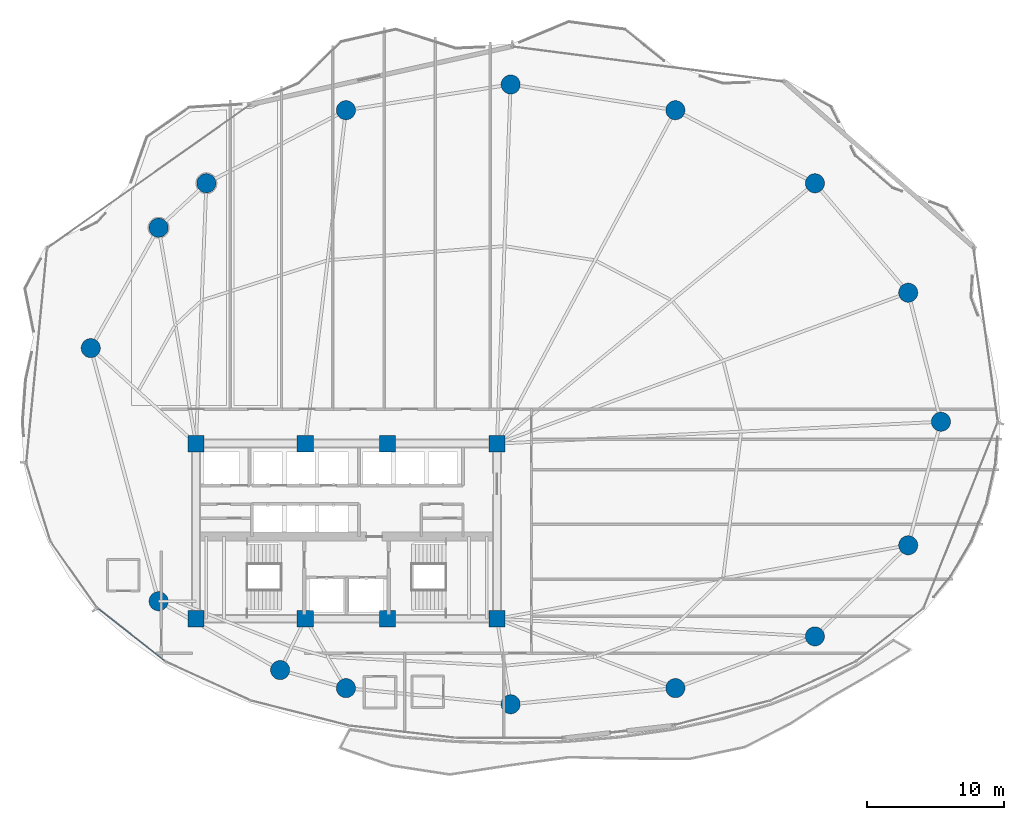
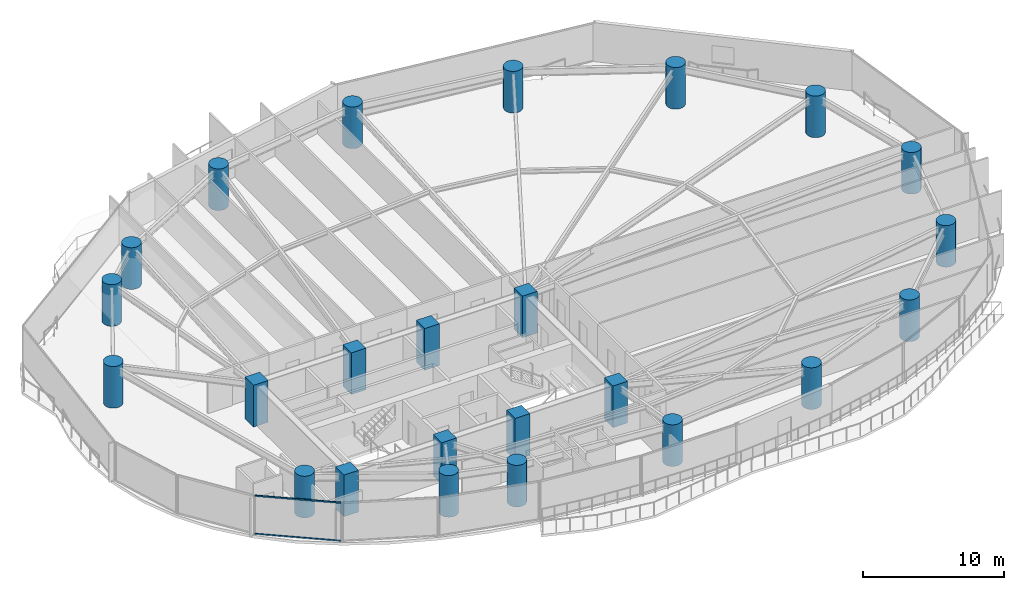
# One storey, part 1 of 32: 24 columns, 2 members, 1 element without a shape of its own.
"""IFC4 building model written with IfcOpenShell, lengths in metres."""

from ifc_helpers import new_model, si_unit, direction, frame, origin, origin_2d, place, context, subcontext, project, spatial, rectangle, hollow_rectangle, circle, extrude, material, layer, layer_set, material_profile, profile_set, type_object, element, aggregate, save


model = new_model("IFC4")

# Units and contexts
model_context = context("Model", 3, precision=1e-05, world=origin(), true_north=direction((0.0, 1.0)))
body_context = subcontext(model_context, "Body", "Model", "MODEL_VIEW")
ifc_project = project(units=[si_unit("LENGTHUNIT", "METRE"), si_unit("AREAUNIT", "SQUARE_METRE"), si_unit("VOLUMEUNIT", "CUBIC_METRE"), si_unit("PLANEANGLEUNIT", "RADIAN"), si_unit("MASSUNIT", "GRAM", prefix="KILO")], contexts=[model_context])

# Site, building, storey
site_placement = place(None, origin())
site = spatial("IfcSite", under=ifc_project, at=site_placement, CompositionType="ELEMENT")
building_placement = place(site_placement, origin())
building = spatial("IfcBuilding", under=site, at=building_placement, Name="Kazevale Care Tower and Concert Hall", CompositionType="ELEMENT")
storey_placement = place(building_placement, frame((0.0, 0.0, 42.0)))
storey = spatial("IfcBuildingStorey", under=building, at=storey_placement, Name="L10", CompositionType="ELEMENT", Elevation=42.0)

# Columns
ifc_material_1 = material(Name="Concrete C70", Category="concrete")
ifc_material_profile_1 = material_profile(ifc_material_1, rectangle(XDim=1.199951171875, YDim=1.199951171875, at=origin_2d()), Name="RC-SQ1200")
ifc_profile_set_1 = profile_set([ifc_material_profile_1], Name="Concrete C70")
column_type_1 = type_object("IfcColumnType", Name="Core Column SQ1200 C70", PredefinedType="COLUMN", material=ifc_profile_set_1)
for number, where, z_axis, x_axis, name in (
    (1, (22.0, 23.60009765625, 0.0), (0.0, 0.0, 1.0), (1.0, 0.0, 0.0), "col:L10:CC-01"),
    (2, (30.0, 23.60009765625, 0.0), (0.0, 0.0, 1.0), (1.0, 0.0, 0.0), "col:L10:CC-02"),
    (3, (36.0, 23.60009765625, 0.0), (0.0, 0.0, 1.0), (1.0, 0.0, 0.0), "col:L10:CC-03"),
    (4, (44.0, 23.60009765625, 0.0), (0.0, 0.0, 1.0), (1.0, 0.0, 0.0), "col:L10:CC-04"),
    (5, (44.0, 36.39990234375, 0.0), (0.0, 0.0, 1.0), (1.0, 0.0, 0.0), "col:L10:CC-05"),
    (6, (36.0, 36.39990234375, 0.0), (0.0, 0.0, 1.0), (1.0, 0.0, 0.0), "col:L10:CC-06"),
    (7, (30.0, 36.39990234375, 0.0), (0.0, 0.0, 1.0), (1.0, 0.0, 0.0), "col:L10:CC-07"),
    (8, (22.0, 36.39990234375, 0.0), (0.0, 0.0, 1.0), (1.0, 0.0, 0.0), "col:L10:CC-08"),
):
    element("IfcColumn", number, at=place(storey_placement, frame(where, z_axis=z_axis, x_axis=x_axis)), inside=storey, type_object=column_type_1, Name=name, PredefinedType="COLUMN", context=body_context, shape_type="SweptSolid", body=[
        extrude(rectangle(XDim=1.199951171875, YDim=1.199951171875, at=origin_2d()), origin(), (0.0, 0.0, 1.0), 3.60009765625),
    ])
ifc_material_profile_2 = material_profile(ifc_material_1, circle(Radius=0.699951171875, at=origin_2d()), Name="RC-CIR1400")
ifc_profile_set_2 = profile_set([ifc_material_profile_2], Name="Concrete C70")
column_type_2 = type_object("IfcColumnType", Name="Perimeter Column CIR1400 C70", PredefinedType="COLUMN", material=ifc_profile_set_2)
for number, where, z_axis, x_axis, name in (
    (9, (76.449951171875, 38.0, 0.0), (0.0, 0.0, 1.0), (1.0, 0.0, 0.0), "col:L10:PC-01"),
    (10, (74.06005859375, 47.429931640625, 0.0), (0.0, 0.0, 1.0), (1.0, 0.0, 0.0), "col:L10:PC-02"),
    (11, (67.239990234375, 55.429931640625, 0.0), (0.0, 0.0, 1.0), (1.0, 0.0, 0.0), "col:L10:PC-03"),
    (12, (57.0400390625, 60.77001953125, 0.0), (0.0, 0.0, 1.0), (1.0, 0.0, 0.0), "col:L10:PC-04"),
    (13, (45.0, 62.64990234375, 0.0), (0.0, 0.0, 1.0), (1.0, 0.0, 0.0), "col:L10:PC-05"),
    (14, (32.9599609375, 60.77001953125, 0.0), (0.0, 0.0, 1.0), (1.0, 0.0, 0.0), "col:L10:PC-06"),
    (15, (22.760009765625, 55.429931640625, 0.0), (0.0, 0.0, 1.0), (1.0, 0.0, 0.0), "col:L10:PC-07"),
    (16, (19.27001953125, 52.179931640625, 0.0), (0.0, 0.0, 1.0), (1.0, 0.0, 0.0), "col:L10:PC-08"),
    (17, (14.31005859375, 43.3798828125, 0.0), (0.0, 0.0, 1.0), (1.0, 0.0, 0.0), "col:L10:PC-09"),
    (18, (19.27001953125, 24.8798828125, 0.0), (0.0, 0.0, 1.0), (1.0, 0.0, 0.0), "col:L10:PC-10"),
    (19, (28.14990234375, 19.85009765625, 0.0), (0.0, 0.0, 1.0), (1.0, 0.0, 0.0), "col:L10:PC-11"),
    (20, (32.9599609375, 18.530029296875, 0.0), (0.0, 0.0, 1.0), (1.0, 0.0, 0.0), "col:L10:PC-12"),
    (21, (45.0, 17.35009765625, 0.0), (0.0, 0.0, 1.0), (1.0, 0.0, 0.0), "col:L10:PC-13"),
    (22, (57.0400390625, 18.530029296875, 0.0), (0.0, 0.0, 1.0), (1.0, 0.0, 0.0), "col:L10:PC-14"),
    (23, (67.239990234375, 22.31005859375, 0.0), (0.0, 0.0, 1.0), (1.0, 0.0, 0.0), "col:L10:PC-15"),
    (24, (74.06005859375, 28.969970703125, 0.0), (0.0, 0.0, 1.0), (1.0, 0.0, 0.0), "col:L10:PC-16"),
):
    element("IfcColumn", number, at=place(storey_placement, frame(where, z_axis=z_axis, x_axis=x_axis)), inside=storey, type_object=column_type_2, Name=name, PredefinedType="COLUMN", context=body_context, shape_type="SweptSolid", body=[
        extrude(circle(Radius=0.699951171875, at=origin_2d()), origin(), (0.0, 0.0, 1.0), 3.60009765625),
    ])

# Curtain wall, members
ifc_material_2 = material(Name="Aluminium 6063-T6 and Low-E Glass", Category="aluminium")
ifc_layer = layer(ifc_material_2, 0.179931640625)
ifc_layer_set = layer_set([ifc_layer], Name="Aluminium 6063-T6 and Low-E Glass")
curtain_wall_type = type_object("IfcCurtainWallType", Name="Sheltered Concave Balcony Curtain Wall CW-5", PredefinedType="NOTDEFINED", material=ifc_layer_set)
curtain_wall_placement = place(storey_placement, origin())
curtain_wall = element("IfcCurtainWall", 25, at=curtain_wall_placement, inside=storey, type_object=curtain_wall_type, Name="cw:L10:f10", PredefinedType="NOTDEFINED")
ifc_material_3 = material(Name="Aluminium 6063-T6", Category="aluminium")
ifc_material_profile_3 = material_profile(ifc_material_3, hollow_rectangle(XDim=0.074951171875, YDim=0.1201171875, WallThickness=0.00390625, at=origin_2d()), Name="ALU75x120x4")
ifc_profile_set_3 = profile_set([ifc_material_profile_3], Name="Aluminium 6063-T6")
member_type = type_object("IfcMemberType", Name="CW-5 Transom ALU75x120x4", PredefinedType="USERDEFINED", material=ifc_profile_set_3)
member_1_placement = place(storey_placement, frame((19.718994140625, 20.513427734375, 0.03759765625), z_axis=(-0.78633897536, 0.617795286344, 0.0), x_axis=(-0.617795286344, -0.78633897536, 0.0)))
member_1 = element("IfcMember", 26, at=member_1_placement, type_object=member_type, Name="CW-5 transom 1.1", ObjectType="TRANSOM", PredefinedType="USERDEFINED", context=body_context, shape_type="SweptSolid", body=[
    extrude(hollow_rectangle(XDim=0.074951171875, YDim=0.1201171875, WallThickness=0.00390625, at=origin_2d()), origin(), (0.0, 0.0, 1.0), 6.15771484375),
])
member_2_placement = place(storey_placement, frame((19.718994140625, 20.513427734375, 3.322509765625), z_axis=(-0.78633897536, 0.617795286344, 0.0), x_axis=(-0.617795286344, -0.78633897536, 0.0)))
member_2 = element("IfcMember", 27, at=member_2_placement, type_object=member_type, Name="CW-5 transom 1.2", ObjectType="TRANSOM", PredefinedType="USERDEFINED", context=body_context, shape_type="SweptSolid", body=[
    extrude(hollow_rectangle(XDim=0.074951171875, YDim=0.1201171875, WallThickness=0.00390625, at=origin_2d()), origin(), (0.0, 0.0, 1.0), 6.15771484375),
])
aggregate(curtain_wall, [member_1, member_2])

save(model, "model.ifc")
